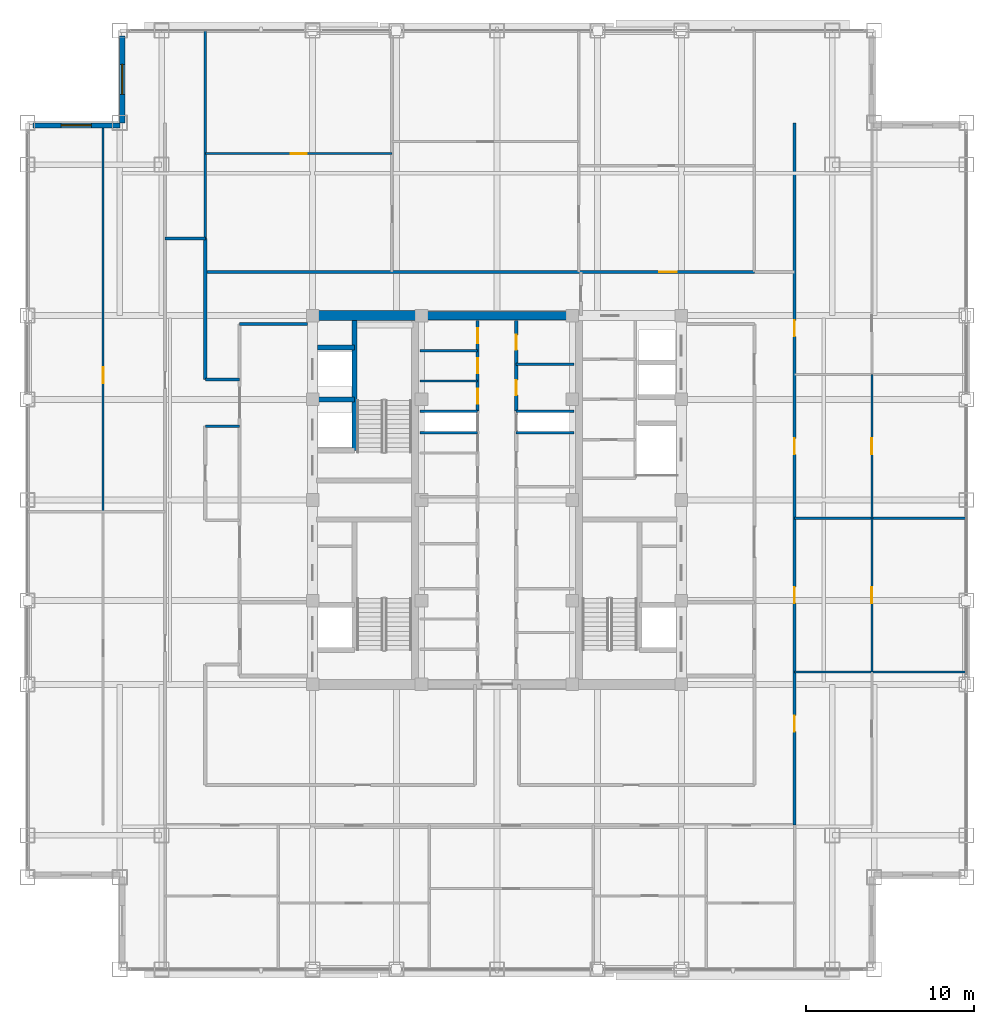
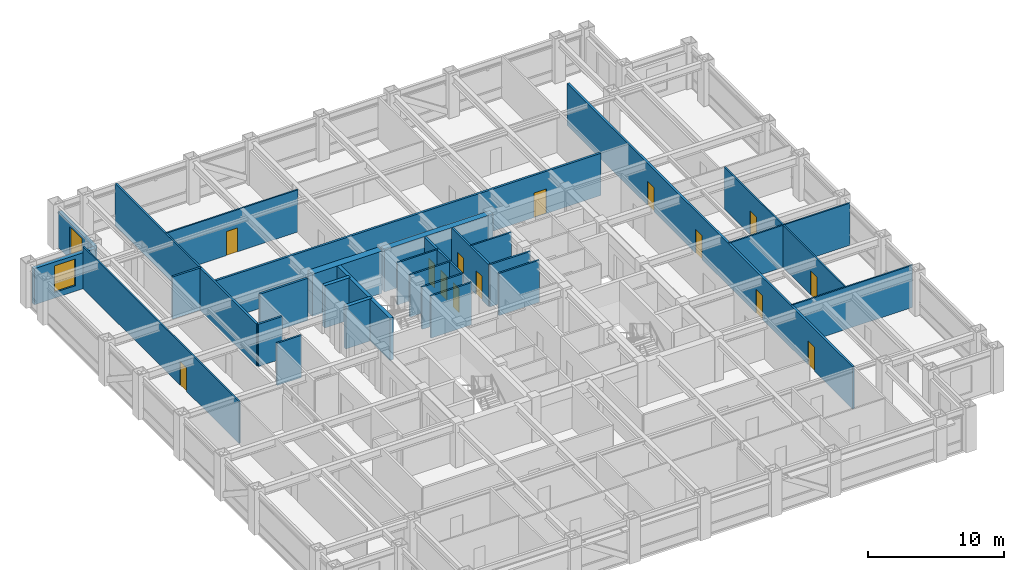
# One storey, part 21 of 27: 30 walls, 14 doors, 2 windows, 16 openings.
"""IFC4 building model written with IfcOpenShell, lengths in metres."""

from ifc_helpers import new_model, si_unit, direction, frame, frame_2d, origin, place, context, subcontext, project, spatial, rectangle, extrude, source, transform, mapped, material, layer, layer_set, type_object, element, fill, save


model = new_model("IFC4")

# Units and contexts
model_context = context("Model", 3, precision=1e-05, world=origin(), true_north=direction((0.0, 1.0)))
body_context = subcontext(model_context, "Body", "Model", "MODEL_VIEW")
ifc_project = project(units=[si_unit("LENGTHUNIT", "METRE"), si_unit("AREAUNIT", "SQUARE_METRE"), si_unit("VOLUMEUNIT", "CUBIC_METRE"), si_unit("PLANEANGLEUNIT", "RADIAN"), si_unit("MASSUNIT", "GRAM", prefix="KILO")], contexts=[model_context])

# Site, building, storey
site_placement = place(None, origin())
site = spatial("IfcSite", under=ifc_project, at=site_placement, CompositionType="ELEMENT")
building_placement = place(site_placement, origin())
building = spatial("IfcBuilding", under=site, at=building_placement, Name="Khorayat Bourse Tower", CompositionType="ELEMENT")
storey_placement = place(building_placement, frame((0.0, 0.0, 285.5)))
storey = spatial("IfcBuildingStorey", under=building, at=storey_placement, Name="L67", CompositionType="ELEMENT", Elevation=285.5)

# Walls
ifc_material_1 = material(Name="Concrete C60/75", Category="concrete")
ifc_layer_1 = layer(ifc_material_1, 0.60009765625)
ifc_layer_set_1 = layer_set([ifc_layer_1], Name="Concrete C60/75")
wall_type_1 = type_object("IfcWallType", Name="WAL-CORE-600", PredefinedType="SHEAR", material=ifc_layer_set_1)
shared_shape_1 = source(origin(), body_context, "Body", "SweptSolid", [
    extrude(rectangle(XDim=5.89990234375, YDim=0.60009765625, at=frame_2d((2.949951171875, 0.0))), origin(), (0.0, 0.0, 1.0), 3.780029296875),
])
wall_1_placement = place(storey_placement, frame((-10.75, 11.0, 0.0), z_axis=(0.0, 0.0, 1.0), x_axis=(1.0, 0.0, 0.0)))
element("IfcWall", 1, at=wall_1_placement, inside=storey, type_object=wall_type_1, Name="L67 Core Shear Wall PIER-WN", PredefinedType="SHEAR", context=body_context, shape_type="MappedRepresentation", body=[
    mapped(shared_shape_1, transform((0.0, 0.0, 0.0), scale=1.0)),
])
ifc_material_2 = material(Name="Concrete C52/65", Category="concrete")
ifc_layer_2 = layer(ifc_material_2, 0.5)
ifc_layer_set_2 = layer_set([ifc_layer_2], Name="Concrete C52/65")
wall_type_2 = type_object("IfcWallType", Name="WAL-CORE-500", PredefinedType="SHEAR", material=ifc_layer_set_2)
shared_shape_2 = source(origin(), body_context, "Body", "SweptSolid", [
    extrude(rectangle(XDim=9.2001953125, YDim=0.5, at=frame_2d((4.60009765625, 0.0))), origin(), (0.0, 0.0, 1.0), 3.780029296875),
])
wall_2_placement = place(storey_placement, frame((-4.60009765625, 11.0, 0.0), z_axis=(0.0, 0.0, 1.0), x_axis=(1.0, 0.0, 0.0)))
element("IfcWall", 2, at=wall_2_placement, inside=storey, type_object=wall_type_2, Name="L67 Core Shear Wall CORE-N", PredefinedType="SHEAR", context=body_context, shape_type="MappedRepresentation", body=[
    mapped(shared_shape_2, transform((0.0, 0.0, 0.0), scale=1.0)),
])

# Wall, opening, window
ifc_material_3 = material(Name="Precast concrete C45/55", Category="concrete")
ifc_layer_3 = layer(ifc_material_3, 0.320068359375)
ifc_layer_set_3 = layer_set([ifc_layer_3], Name="Precast concrete C45/55")
wall_type_3 = type_object("IfcWallType", Name="WAL-EXT-STONE-320", PredefinedType="STANDARD", material=ifc_layer_set_3)
shared_shape_3 = source(origin(), body_context, "Body", "SweptSolid", [
    extrude(rectangle(XDim=5.179931640625, YDim=0.320068359375, at=frame_2d((2.58984375, 0.0))), origin(), (0.0, 0.0, 1.0), 3.23095703125),
])
wall_3_placement = place(storey_placement, frame((-22.340087890625, 22.5, 0.0), z_axis=(0.0, 0.0, 1.0), x_axis=(0.0, 1.0, 0.0)))
wall_3 = element("IfcWall", 3, at=wall_3_placement, inside=storey, type_object=wall_type_3, Name="L67 Re-Entrant Notch Limestone Wall NW-V", PredefinedType="STANDARD", context=body_context, shape_type="MappedRepresentation", body=[
    mapped(shared_shape_3, transform((0.0, 0.0, 0.0), scale=1.0)),
])
shared_shape_4 = source(origin(), body_context, "Body", "SweptSolid", [
    extrude(rectangle(XDim=1.800048828125, YDim=2.39990234375, at=frame_2d((0.89990234375, 1.199951171875))), frame((0.0, 0.169921875, 0.0), z_axis=(0.0, -1.0, 0.0), x_axis=(1.0, 0.0, 0.0)), (0.0, 0.0, 1.0), 0.340087890625),
])
opening_1_placement = place(wall_3_placement, frame((1.68994140625, 0.0, 0.5)))
opening_1 = element("IfcOpeningElement", 4, at=opening_1_placement, cuts=wall_3, Name="Opening WN-04", PredefinedType="OPENING", context=body_context, shape_type="MappedRepresentation", body=[
    mapped(shared_shape_4, transform((0.0, 0.0, 0.0), scale=1.0)),
])
ifc_material_4 = material(Name="Low-E acoustic laminated double glazing", Category="glass")
window_type = type_object("IfcWindowType", Name="WIN-NOTCH-1800x2400", PartitioningType="SINGLE_PANEL", PredefinedType="WINDOW", material=ifc_material_4)
shared_shape_5 = source(origin(), body_context, "Body", "SweptSolid", [
    extrude(rectangle(XDim=1.800048828125, YDim=2.39990234375, at=frame_2d((0.89990234375, 1.199951171875))), frame((0.0, 0.030029296875, 0.0), z_axis=(0.0, -1.0, 0.0), x_axis=(1.0, 0.0, 0.0)), (0.0, 0.0, 1.0), 0.06005859375),
])
window_1_placement = place(opening_1_placement, origin())
window_1 = element("IfcWindow", 5, at=window_1_placement, inside=storey, type_object=window_type, Name="L67 Facade Window 1", OverallHeight=2.39990234375, OverallWidth=1.800048828125, PartitioningType="SINGLE_PANEL", PredefinedType="WINDOW", context=body_context, shape_type="MappedRepresentation", body=[
    mapped(shared_shape_5, transform((0.0, 0.0, 0.0), scale=1.0)),
])
fill(opening_1, window_1)

wall_4_placement = place(storey_placement, frame((-22.5, 22.340087890625, 0.0), z_axis=(0.0, 0.0, 1.0), x_axis=(-1.0, 0.0, 0.0)))
wall_4 = element("IfcWall", 6, at=wall_4_placement, inside=storey, type_object=wall_type_3, Name="L67 Re-Entrant Notch Limestone Wall NW-H", PredefinedType="STANDARD", context=body_context, shape_type="MappedRepresentation", body=[
    mapped(shared_shape_3, transform((0.0, 0.0, 0.0), scale=1.0)),
])
opening_2_placement = place(wall_4_placement, frame((1.68994140625, 0.0, 0.5)))
opening_2 = element("IfcOpeningElement", 7, at=opening_2_placement, cuts=wall_4, Name="Opening WN-04", PredefinedType="OPENING", context=body_context, shape_type="MappedRepresentation", body=[
    mapped(shared_shape_4, transform((0.0, 0.0, 0.0), scale=1.0)),
])
window_2_placement = place(opening_2_placement, origin())
window_2 = element("IfcWindow", 8, at=window_2_placement, inside=storey, type_object=window_type, Name="L67 Facade Window 1", OverallHeight=2.39990234375, OverallWidth=1.800048828125, PartitioningType="SINGLE_PANEL", PredefinedType="WINDOW", context=body_context, shape_type="MappedRepresentation", body=[
    mapped(shared_shape_5, transform((0.0, 0.0, 0.0), scale=1.0)),
])
fill(opening_2, window_2)

# Walls
ifc_material_5 = material(Name="Concrete C50/60", Category="concrete")
ifc_layer_4 = layer(ifc_material_5, 0.300048828125)
ifc_layer_set_4 = layer_set([ifc_layer_4], Name="Concrete C50/60")
wall_type_4 = type_object("IfcWallType", Name="WAL-SHAFT-300", PredefinedType="SHEAR", material=ifc_layer_set_4)
shared_shape_6 = source(origin(), body_context, "Body", "SweptSolid", [
    extrude(rectangle(XDim=2.199951171875, YDim=0.300048828125, at=frame_2d((1.10009765625, 0.0))), origin(), (0.0, 0.0, 1.0), 3.780029296875),
])
for number, where, z_axis, x_axis, name in (
    (9, (-10.699951171875, 6.0, 0.0), (0.0, 0.0, 1.0), (1.0, 0.0, 0.0), "L67 Partition WAL-L67-WPIER-H12"),
    (10, (-10.699951171875, 9.10009765625, 0.0), (0.0, 0.0, 1.0), (1.0, 0.0, 0.0), "L67 Partition WAL-L67-WPIER-H2N"),
):
    element("IfcWall", number, at=place(storey_placement, frame(where, z_axis=z_axis, x_axis=x_axis)), inside=storey, type_object=wall_type_4, Name=name, PredefinedType="SHEAR", context=body_context, shape_type="MappedRepresentation", body=[
        mapped(shared_shape_6, transform((0.0, 0.0, 0.0), scale=1.0)),
    ])
shared_shape_7 = source(origin(), body_context, "Body", "SweptSolid", [
    extrude(rectangle(XDim=7.75, YDim=0.300048828125, at=frame_2d((3.875, 0.0))), origin(), (0.0, 0.0, 1.0), 3.780029296875),
])
wall_5_placement = place(storey_placement, frame((-8.5, 2.949951171875, 0.0), z_axis=(0.0, 0.0, 1.0), x_axis=(0.0, 1.0, 0.0)))
element("IfcWall", 11, at=wall_5_placement, inside=storey, type_object=wall_type_4, Name="L67 Partition WAL-L67-WPIER-ST2S", PredefinedType="SHEAR", context=body_context, shape_type="MappedRepresentation", body=[
    mapped(shared_shape_7, transform((0.0, 0.0, 0.0), scale=1.0)),
])
ifc_material_6 = material(Name="Gypsum plasterboard acoustic stud wall")
ifc_layer_5 = layer(ifc_material_6, 0.179931640625)
ifc_layer_set_5 = layer_set([ifc_layer_5], Name="Gypsum plasterboard acoustic stud wall")
wall_type_5 = type_object("IfcWallType", Name="WAL-PART-CORR-180", PredefinedType="PARTITIONING", material=ifc_layer_set_5)
shared_shape_8 = source(origin(), body_context, "Body", "SweptSolid", [
    extrude(rectangle(XDim=4.050048828125, YDim=0.179931640625, at=frame_2d((2.02490234375, 0.0))), origin(), (0.0, 0.0, 1.0), 3.780029296875),
])
wall_6_placement = place(storey_placement, frame((-15.35009765625, 10.5, 0.0), z_axis=(0.0, 0.0, 1.0), x_axis=(1.0, 0.0, 0.0)))
element("IfcWall", 12, at=wall_6_placement, inside=storey, type_object=wall_type_5, Name="L67 Partition WAL-L67-WLOB-N", PredefinedType="PARTITIONING", context=body_context, shape_type="MappedRepresentation", body=[
    mapped(shared_shape_8, transform((0.0, 0.0, 0.0), scale=1.0)),
])
ifc_material_7 = material(Name="Gypsum plasterboard twin-frame partition")
ifc_layer_6 = layer(ifc_material_7, 0.14990234375)
ifc_layer_set_6 = layer_set([ifc_layer_6], Name="Gypsum plasterboard twin-frame partition")
wall_type_6 = type_object("IfcWallType", Name="WAL-PART-SUITE-150", PredefinedType="PARTITIONING", material=ifc_layer_set_6)
shared_shape_9 = source(origin(), body_context, "Body", "SweptSolid", [
    extrude(rectangle(XDim=3.4501953125, YDim=0.14990234375, at=frame_2d((1.72509765625, 0.0))), origin(), (0.0, 0.0, 1.0), 3.780029296875),
])
for number, where, z_axis, x_axis, name in (
    (13, (-4.60009765625, 4.0, 0.0), (0.0, 0.0, 1.0), (1.0, 0.0, 0.0), "L67 Partition WAL-L67-CRSW-S"),
    (14, (1.14990234375, 4.0, 0.0), (0.0, 0.0, 1.0), (1.0, 0.0, 0.0), "L67 Partition WAL-L67-CRSE-S"),
    (15, (-4.60009765625, 5.300048828125, 0.0), (0.0, 0.0, 1.0), (1.0, 0.0, 0.0), "L67 Partition WAL-L67-FB2-SW"),
    (16, (1.14990234375, 5.300048828125, 0.0), (0.0, 0.0, 1.0), (1.0, 0.0, 0.0), "L67 Partition WAL-L67-FB2-SE"),
):
    element("IfcWall", number, at=place(storey_placement, frame(where, z_axis=z_axis, x_axis=x_axis)), inside=storey, type_object=wall_type_6, Name=name, PredefinedType="PARTITIONING", context=body_context, shape_type="MappedRepresentation", body=[
        mapped(shared_shape_9, transform((0.0, 0.0, 0.0), scale=1.0)),
    ])

# Wall, openings, doors
shared_shape_10 = source(origin(), body_context, "Body", "SweptSolid", [
    extrude(rectangle(XDim=5.39990234375, YDim=0.179931640625, at=frame_2d((2.699951171875, 0.0))), origin(), (0.0, 0.0, 1.0), 3.780029296875),
])
wall_7_placement = place(storey_placement, frame((-1.14990234375, 5.300048828125, 0.0), z_axis=(0.0, 0.0, 1.0), x_axis=(0.0, 1.0, 0.0)))
wall_7 = element("IfcWall", 17, at=wall_7_placement, inside=storey, type_object=wall_type_5, Name="L67 Partition WAL-L67-FB2W-L", PredefinedType="PARTITIONING", context=body_context, shape_type="MappedRepresentation", body=[
    mapped(shared_shape_10, transform((0.0, 0.0, 0.0), scale=1.0)),
])
shared_shape_11 = source(origin(), body_context, "Body", "SweptSolid", [
    extrude(rectangle(XDim=0.89990234375, YDim=2.14990234375, at=frame_2d((0.449951171875, 1.074951171875))), frame((0.0, 0.099853515625, 0.0), z_axis=(0.0, -1.0, 0.0), x_axis=(1.0, 0.0, 0.0)), (0.0, 0.0, 1.0), 0.199951171875),
])
opening_3_placement = place(wall_7_placement, frame((0.449951171875, 0.0, 0.0)))
opening_3 = element("IfcOpeningElement", 18, at=opening_3_placement, cuts=wall_7, Name="Opening DI-06", PredefinedType="OPENING", context=body_context, shape_type="MappedRepresentation", body=[
    mapped(shared_shape_11, transform((0.0, 0.0, 0.0), scale=1.0)),
])
opening_4_placement = place(wall_7_placement, frame((2.25, 0.0, 0.0)))
opening_4 = element("IfcOpeningElement", 19, at=opening_4_placement, cuts=wall_7, Name="Opening DI-06", PredefinedType="OPENING", context=body_context, shape_type="MappedRepresentation", body=[
    mapped(shared_shape_11, transform((0.0, 0.0, 0.0), scale=1.0)),
])
opening_5_placement = place(wall_7_placement, frame((4.050048828125, 0.0, 0.0)))
opening_5 = element("IfcOpeningElement", 20, at=opening_5_placement, cuts=wall_7, Name="Opening DI-06", PredefinedType="OPENING", context=body_context, shape_type="MappedRepresentation", body=[
    mapped(shared_shape_11, transform((0.0, 0.0, 0.0), scale=1.0)),
])
ifc_material_8 = material(Name="Moisture-resistant laminate washroom door")
door_type_1 = type_object("IfcDoorType", Name="DR-INT-WC-900", OperationType="NOTDEFINED", PredefinedType="DOOR", material=ifc_material_8)
shared_shape_12 = source(origin(), body_context, "Body", "SweptSolid", [
    extrude(rectangle(XDim=0.89990234375, YDim=2.14990234375, at=frame_2d((0.449951171875, 1.074951171875))), frame((0.0, 0.02490234375, 0.0), z_axis=(0.0, -1.0, 0.0), x_axis=(1.0, 0.0, 0.0)), (0.0, 0.0, 1.0), 0.050048828125),
])
door_1_placement = place(opening_3_placement, origin())
door_1 = element("IfcDoor", 21, at=door_1_placement, inside=storey, type_object=door_type_1, Name="L67 Custody Vault A Door", OperationType="SINGLE_SWING_RIGHT", OverallHeight=2.14990234375, OverallWidth=0.89990234375, PredefinedType="DOOR", context=body_context, shape_type="MappedRepresentation", body=[
    mapped(shared_shape_12, transform((0.0, 0.0, 0.0), scale=1.0)),
])
fill(opening_3, door_1)
door_2_placement = place(opening_4_placement, origin())
door_2 = element("IfcDoor", 22, at=door_2_placement, inside=storey, type_object=door_type_1, Name="L67 Fiber Patch Room Door", OperationType="SINGLE_SWING_LEFT", OverallHeight=2.14990234375, OverallWidth=0.89990234375, PredefinedType="DOOR", context=body_context, shape_type="MappedRepresentation", body=[
    mapped(shared_shape_12, transform((0.0, 0.0, 0.0), scale=1.0)),
])
fill(opening_4, door_2)
door_3_placement = place(opening_5_placement, origin())
door_3 = element("IfcDoor", 23, at=door_3_placement, inside=storey, type_object=door_type_1, Name="L67 Custody Vault B Door", OperationType="SINGLE_SWING_RIGHT", OverallHeight=2.14990234375, OverallWidth=0.89990234375, PredefinedType="DOOR", context=body_context, shape_type="MappedRepresentation", body=[
    mapped(shared_shape_12, transform((0.0, 0.0, 0.0), scale=1.0)),
])
fill(opening_5, door_3)

wall_8_placement = place(storey_placement, frame((1.14990234375, 5.300048828125, 0.0), z_axis=(0.0, 0.0, 1.0), x_axis=(0.0, 1.0, 0.0)))
wall_8 = element("IfcWall", 24, at=wall_8_placement, inside=storey, type_object=wall_type_5, Name="L67 Partition WAL-L67-FB2E-L", PredefinedType="PARTITIONING", context=body_context, shape_type="MappedRepresentation", body=[
    mapped(shared_shape_10, transform((0.0, 0.0, 0.0), scale=1.0)),
])
opening_6_placement = place(wall_8_placement, frame((0.949951171875, 0.0, 0.0)))
opening_6 = element("IfcOpeningElement", 25, at=opening_6_placement, cuts=wall_8, Name="Opening DI-06", PredefinedType="OPENING", context=body_context, shape_type="MappedRepresentation", body=[
    mapped(shared_shape_11, transform((0.0, 0.0, 0.0), scale=1.0)),
])
opening_7_placement = place(wall_8_placement, frame((3.64990234375, 0.0, 0.0)))
opening_7 = element("IfcOpeningElement", 26, at=opening_7_placement, cuts=wall_8, Name="Opening DI-06", PredefinedType="OPENING", context=body_context, shape_type="MappedRepresentation", body=[
    mapped(shared_shape_11, transform((0.0, 0.0, 0.0), scale=1.0)),
])
door_4_placement = place(opening_6_placement, origin())
door_4 = element("IfcDoor", 27, at=door_4_placement, inside=storey, type_object=door_type_1, Name="L67 Core Pantry Store Door", OperationType="SINGLE_SWING_RIGHT", OverallHeight=2.14990234375, OverallWidth=0.89990234375, PredefinedType="DOOR", context=body_context, shape_type="MappedRepresentation", body=[
    mapped(shared_shape_12, transform((0.0, 0.0, 0.0), scale=1.0)),
])
fill(opening_6, door_4)
door_5_placement = place(opening_7_placement, origin())
door_5 = element("IfcDoor", 28, at=door_5_placement, inside=storey, type_object=door_type_1, Name="L67 Chilled Riser Room Door", OperationType="SINGLE_SWING_LEFT", OverallHeight=2.14990234375, OverallWidth=0.89990234375, PredefinedType="DOOR", context=body_context, shape_type="MappedRepresentation", body=[
    mapped(shared_shape_12, transform((0.0, 0.0, 0.0), scale=1.0)),
])
fill(opening_7, door_5)

# Walls
ifc_material_9 = material(Name="Moisture-resistant masonry partition", Category="masonry")
ifc_layer_7 = layer(ifc_material_9, 0.139892578125)
ifc_layer_set_7 = layer_set([ifc_layer_7], Name="Moisture-resistant masonry partition")
wall_type_7 = type_object("IfcWallType", Name="WAL-PART-WET-140", PredefinedType="PARTITIONING", material=ifc_layer_set_7)
shared_shape_13 = source(origin(), body_context, "Body", "SweptSolid", [
    extrude(rectangle(XDim=3.4501953125, YDim=0.139892578125, at=frame_2d((1.72509765625, 0.0))), origin(), (0.0, 0.0, 1.0), 3.780029296875),
])
for number, where, z_axis, x_axis, name in (
    (29, (-4.60009765625, 7.10009765625, 0.0), (0.0, 0.0, 1.0), (1.0, 0.0, 0.0), "L67 Partition WAL-L67-FB2W-D1"),
    (30, (-4.60009765625, 8.89990234375, 0.0), (0.0, 0.0, 1.0), (1.0, 0.0, 0.0), "L67 Partition WAL-L67-FB2W-D2"),
    (31, (1.14990234375, 8.10009765625, 0.0), (0.0, 0.0, 1.0), (1.0, 0.0, 0.0), "L67 Partition WAL-L67-FB2E-D1"),
):
    element("IfcWall", number, at=place(storey_placement, frame(where, z_axis=z_axis, x_axis=x_axis)), inside=storey, type_object=wall_type_7, Name=name, PredefinedType="PARTITIONING", context=body_context, shape_type="MappedRepresentation", body=[
        mapped(shared_shape_13, transform((0.0, 0.0, 0.0), scale=1.0)),
    ])
shared_shape_14 = source(origin(), body_context, "Body", "SweptSolid", [
    extrude(rectangle(XDim=2.0498046875, YDim=0.14990234375, at=frame_2d((1.02490234375, 0.0))), origin(), (0.0, 0.0, 1.0), 3.780029296875),
])
wall_9_placement = place(storey_placement, frame((-17.39990234375, 4.39990234375, 0.0), z_axis=(0.0, 0.0, 1.0), x_axis=(1.0, 0.0, 0.0)))
element("IfcWall", 32, at=wall_9_placement, inside=storey, type_object=wall_type_6, Name="L67 Partition WAL-L67-PKWM-N", PredefinedType="PARTITIONING", context=body_context, shape_type="MappedRepresentation", body=[
    mapped(shared_shape_14, transform((0.0, 0.0, 0.0), scale=1.0)),
])
shared_shape_15 = source(origin(), body_context, "Body", "SweptSolid", [
    extrude(rectangle(XDim=2.0498046875, YDim=0.179931640625, at=frame_2d((1.02490234375, 0.0))), origin(), (0.0, 0.0, 1.0), 3.780029296875),
])
wall_10_placement = place(storey_placement, frame((-17.39990234375, 7.199951171875, 0.0), z_axis=(0.0, 0.0, 1.0), x_axis=(1.0, 0.0, 0.0)))
element("IfcWall", 33, at=wall_10_placement, inside=storey, type_object=wall_type_5, Name="L67 Partition WAL-L67-THRWN-T", PredefinedType="PARTITIONING", context=body_context, shape_type="MappedRepresentation", body=[
    mapped(shared_shape_15, transform((0.0, 0.0, 0.0), scale=1.0)),
])
shared_shape_16 = source(origin(), body_context, "Body", "SweptSolid", [
    extrude(rectangle(XDim=8.400146484375, YDim=0.179931640625, at=frame_2d((4.2001953125, 0.0))), origin(), (0.0, 0.0, 1.0), 3.780029296875),
])
wall_11_placement = place(storey_placement, frame((-17.39990234375, 7.199951171875, 0.0), z_axis=(0.0, 0.0, 1.0), x_axis=(0.0, 1.0, 0.0)))
element("IfcWall", 34, at=wall_11_placement, inside=storey, type_object=wall_type_5, Name="L67 Partition WAL-L67-THRWN-N", PredefinedType="PARTITIONING", context=body_context, shape_type="MappedRepresentation", body=[
    mapped(shared_shape_16, transform((0.0, 0.0, 0.0), scale=1.0)),
])
shared_shape_17 = source(origin(), body_context, "Body", "SweptSolid", [
    extrude(rectangle(XDim=2.400146484375, YDim=0.179931640625, at=frame_2d((1.2001953125, 0.0))), origin(), (0.0, 0.0, 1.0), 3.780029296875),
])
wall_12_placement = place(storey_placement, frame((-19.800048828125, 15.60009765625, 0.0), z_axis=(0.0, 0.0, 1.0), x_axis=(1.0, 0.0, 0.0)))
element("IfcWall", 35, at=wall_12_placement, inside=storey, type_object=wall_type_5, Name="L67 Partition WAL-L67-GALW-N", PredefinedType="PARTITIONING", context=body_context, shape_type="MappedRepresentation", body=[
    mapped(shared_shape_17, transform((0.0, 0.0, 0.0), scale=1.0)),
])

# Wall, opening, door
shared_shape_18 = source(origin(), body_context, "Body", "SweptSolid", [
    extrude(rectangle(XDim=32.75, YDim=0.179931640625, at=frame_2d((16.375, 0.0))), origin(), (0.0, 0.0, 1.0), 3.780029296875),
])
wall_13_placement = place(storey_placement, frame((-17.39990234375, 13.60009765625, 0.0), z_axis=(0.0, 0.0, 1.0), x_axis=(1.0, 0.0, 0.0)))
wall_13 = element("IfcWall", 36, at=wall_13_placement, inside=storey, type_object=wall_type_5, Name="L67 Partition WAL-L67-NCORR", PredefinedType="PARTITIONING", context=body_context, shape_type="MappedRepresentation", body=[
    mapped(shared_shape_18, transform((0.0, 0.0, 0.0), scale=1.0)),
])
shared_shape_19 = source(origin(), body_context, "Body", "SweptSolid", [
    extrude(rectangle(XDim=1.050048828125, YDim=2.199951171875, at=frame_2d((0.52490234375, 1.10009765625))), frame((0.0, 0.099853515625, 0.0), z_axis=(0.0, -1.0, 0.0), x_axis=(1.0, 0.0, 0.0)), (0.0, 0.0, 1.0), 0.199951171875),
])
opening_8_placement = place(wall_13_placement, frame((27.074951171875, 0.0, 0.0)))
opening_8 = element("IfcOpeningElement", 37, at=opening_8_placement, cuts=wall_13, Name="Opening DI-04", PredefinedType="OPENING", context=body_context, shape_type="MappedRepresentation", body=[
    mapped(shared_shape_19, transform((0.0, 0.0, 0.0), scale=1.0)),
])
ifc_material_10 = material(Name="Fire-rated oak veneer suite entrance door")
door_type_2 = type_object("IfcDoorType", Name="DR-INT-SUITE-1050", OperationType="NOTDEFINED", PredefinedType="DOOR", material=ifc_material_10)
shared_shape_20 = source(origin(), body_context, "Body", "SweptSolid", [
    extrude(rectangle(XDim=1.050048828125, YDim=2.199951171875, at=frame_2d((0.52490234375, 1.10009765625))), frame((0.0, 0.02490234375, 0.0), z_axis=(0.0, -1.0, 0.0), x_axis=(1.0, 0.0, 0.0)), (0.0, 0.0, 1.0), 0.050048828125),
])
door_6_placement = place(opening_8_placement, origin())
door_6 = element("IfcDoor", 38, at=door_6_placement, inside=storey, type_object=door_type_2, Name="L67 Clearing Operations Office N3 Door", OperationType="SINGLE_SWING_RIGHT", OverallHeight=2.199951171875, OverallWidth=1.050048828125, PredefinedType="DOOR", context=body_context, shape_type="MappedRepresentation", body=[
    mapped(shared_shape_20, transform((0.0, 0.0, 0.0), scale=1.0)),
])
fill(opening_8, door_6)

# Walls
shared_shape_21 = source(origin(), body_context, "Body", "SweptSolid", [
    extrude(rectangle(XDim=12.39990234375, YDim=0.14990234375, at=frame_2d((6.199951171875, 0.0))), origin(), (0.0, 0.0, 1.0), 3.780029296875),
])
wall_14_placement = place(storey_placement, frame((-17.39990234375, 15.60009765625, 0.0), z_axis=(0.0, 0.0, 1.0), x_axis=(0.0, 1.0, 0.0)))
element("IfcWall", 39, at=wall_14_placement, inside=storey, type_object=wall_type_6, Name="L67 Partition WAL-L67-NCW-END", PredefinedType="PARTITIONING", context=body_context, shape_type="MappedRepresentation", body=[
    mapped(shared_shape_21, transform((0.0, 0.0, 0.0), scale=1.0)),
])
ifc_material_11 = material(Name="Gypsum plasterboard partition")
ifc_layer_8 = layer(ifc_material_11, 0.125)
ifc_layer_set_8 = layer_set([ifc_layer_8], Name="Gypsum plasterboard partition")
wall_type_8 = type_object("IfcWallType", Name="WAL-PART-ROOM-125", PredefinedType="PARTITIONING", material=ifc_layer_set_8)
shared_shape_22 = source(origin(), body_context, "Body", "SweptSolid", [
    extrude(rectangle(XDim=10.25, YDim=0.125, at=frame_2d((5.125, 0.0))), origin(), (0.0, 0.0, 1.0), 3.780029296875),
])
for number, where, z_axis, x_axis, name in (
    (40, (17.75, -10.26806640625, 0.0), (0.0, 0.0, 1.0), (1.0, 0.0, 0.0), "L67 Partition WAL-L67-EDV-1"),
    (41, (17.75, -1.087890625, 0.0), (0.0, 0.0, 1.0), (1.0, 0.0, 0.0), "L67 Partition WAL-L67-EDV-2"),
):
    element("IfcWall", number, at=place(storey_placement, frame(where, z_axis=z_axis, x_axis=x_axis)), inside=storey, type_object=wall_type_8, Name=name, PredefinedType="PARTITIONING", context=body_context, shape_type="MappedRepresentation", body=[
        mapped(shared_shape_22, transform((0.0, 0.0, 0.0), scale=1.0)),
    ])

# Wall, opening, door
shared_shape_23 = source(origin(), body_context, "Body", "SweptSolid", [
    extrude(rectangle(XDim=11.135009765625, YDim=0.125, at=frame_2d((5.5673828125, 0.0))), origin(), (0.0, 0.0, 1.0), 3.780029296875),
])
wall_15_placement = place(storey_placement, frame((-17.39990234375, 20.656005859375, 0.0), z_axis=(0.0, 0.0, 1.0), x_axis=(1.0, 0.0, 0.0)))
wall_15 = element("IfcWall", 42, at=wall_15_placement, inside=storey, type_object=wall_type_8, Name="L67 Partition WAL-L67-NDP-1", PredefinedType="PARTITIONING", context=body_context, shape_type="MappedRepresentation", body=[
    mapped(shared_shape_23, transform((0.0, 0.0, 0.0), scale=1.0)),
])
shared_shape_24 = source(origin(), body_context, "Body", "SweptSolid", [
    extrude(rectangle(XDim=0.949951171875, YDim=2.14990234375, at=frame_2d((0.47509765625, 1.074951171875))), frame((0.0, 0.072509765625, 0.0), z_axis=(0.0, -1.0, 0.0), x_axis=(1.0, 0.0, 0.0)), (0.0, 0.0, 1.0), 0.14501953125),
])
opening_9_placement = place(wall_15_placement, frame((5.092529296875, 0.0, 0.0)))
opening_9 = element("IfcOpeningElement", 43, at=opening_9_placement, cuts=wall_15, Name="Opening DI-05", PredefinedType="OPENING", context=body_context, shape_type="MappedRepresentation", body=[
    mapped(shared_shape_24, transform((0.0, 0.0, 0.0), scale=1.0)),
])
ifc_material_12 = material(Name="Acoustic oak veneer office door")
door_type_3 = type_object("IfcDoorType", Name="DR-INT-OFFICE-950", OperationType="NOTDEFINED", PredefinedType="DOOR", material=ifc_material_12)
shared_shape_25 = source(origin(), body_context, "Body", "SweptSolid", [
    extrude(rectangle(XDim=0.949951171875, YDim=2.14990234375, at=frame_2d((0.47509765625, 1.074951171875))), frame((0.0, 0.02490234375, 0.0), z_axis=(0.0, -1.0, 0.0), x_axis=(1.0, 0.0, 0.0)), (0.0, 0.0, 1.0), 0.050048828125),
])
door_7_placement = place(opening_9_placement, origin())
door_7 = element("IfcDoor", 44, at=door_7_placement, inside=storey, type_object=door_type_3, Name="L67 Quantitative Research Study N1B Door", OperationType="SINGLE_SWING_RIGHT", OverallHeight=2.14990234375, OverallWidth=0.949951171875, PredefinedType="DOOR", context=body_context, shape_type="MappedRepresentation", body=[
    mapped(shared_shape_25, transform((0.0, 0.0, 0.0), scale=1.0)),
])
fill(opening_9, door_7)

shared_shape_26 = source(origin(), body_context, "Body", "SweptSolid", [
    extrude(rectangle(XDim=22.89990234375, YDim=0.125, at=frame_2d((11.449951171875, 0.0))), origin(), (0.0, 0.0, 1.0), 3.780029296875),
])
wall_16_placement = place(storey_placement, frame((-23.489990234375, -0.699951171875, 0.0), z_axis=(0.0, 0.0, 1.0), x_axis=(0.0, 1.0, 0.0)))
wall_16 = element("IfcWall", 45, at=wall_16_placement, inside=storey, type_object=wall_type_8, Name="L67 Partition WAL-L67-WDP-2", PredefinedType="PARTITIONING", context=body_context, shape_type="MappedRepresentation", body=[
    mapped(shared_shape_26, transform((0.0, 0.0, 0.0), scale=1.0)),
])
opening_10_placement = place(wall_16_placement, frame((7.675048828125, 0.0, 0.0)))
opening_10 = element("IfcOpeningElement", 46, at=opening_10_placement, cuts=wall_16, Name="Opening DI-05", PredefinedType="OPENING", context=body_context, shape_type="MappedRepresentation", body=[
    mapped(shared_shape_24, transform((0.0, 0.0, 0.0), scale=1.0)),
])
door_8_placement = place(opening_10_placement, origin())
door_8 = element("IfcDoor", 47, at=door_8_placement, inside=storey, type_object=door_type_3, Name="L67 Market Reference Library W2B Door", OperationType="SINGLE_SWING_LEFT", OverallHeight=2.14990234375, OverallWidth=0.949951171875, PredefinedType="DOOR", context=body_context, shape_type="MappedRepresentation", body=[
    mapped(shared_shape_25, transform((0.0, 0.0, 0.0), scale=1.0)),
])
fill(opening_10, door_8)

shared_shape_27 = source(origin(), body_context, "Body", "SweptSolid", [
    extrude(rectangle(XDim=9.18017578125, YDim=0.125, at=frame_2d((4.590087890625, 0.0))), origin(), (0.0, 0.0, 1.0), 3.780029296875),
])
wall_17_placement = place(storey_placement, frame((22.362548828125, -10.26806640625, 0.0), z_axis=(0.0, 0.0, 1.0), x_axis=(0.0, 1.0, 0.0)))
wall_17 = element("IfcWall", 48, at=wall_17_placement, inside=storey, type_object=wall_type_8, Name="L67 Partition WAL-L67-EDP-2", PredefinedType="PARTITIONING", context=body_context, shape_type="MappedRepresentation", body=[
    mapped(shared_shape_27, transform((0.0, 0.0, 0.0), scale=1.0)),
])
opening_11_placement = place(wall_17_placement, frame((4.114990234375, 0.0, 0.0)))
opening_11 = element("IfcOpeningElement", 49, at=opening_11_placement, cuts=wall_17, Name="Opening DI-05", PredefinedType="OPENING", context=body_context, shape_type="MappedRepresentation", body=[
    mapped(shared_shape_24, transform((0.0, 0.0, 0.0), scale=1.0)),
])
door_9_placement = place(opening_11_placement, origin())
door_9 = element("IfcDoor", 50, at=door_9_placement, inside=storey, type_object=door_type_3, Name="L67 Clearing Records Archive Store E2B Door", OperationType="SINGLE_SWING_LEFT", OverallHeight=2.14990234375, OverallWidth=0.949951171875, PredefinedType="DOOR", context=body_context, shape_type="MappedRepresentation", body=[
    mapped(shared_shape_25, transform((0.0, 0.0, 0.0), scale=1.0)),
])
fill(opening_11, door_9)

shared_shape_28 = source(origin(), body_context, "Body", "SweptSolid", [
    extrude(rectangle(XDim=8.56787109375, YDim=0.125, at=frame_2d((4.283935546875, 0.0))), origin(), (0.0, 0.0, 1.0), 3.780029296875),
])
wall_18_placement = place(storey_placement, frame((22.362548828125, -1.087890625, 0.0), z_axis=(0.0, 0.0, 1.0), x_axis=(0.0, 1.0, 0.0)))
wall_18 = element("IfcWall", 51, at=wall_18_placement, inside=storey, type_object=wall_type_8, Name="L67 Partition WAL-L67-EDP-3", PredefinedType="PARTITIONING", context=body_context, shape_type="MappedRepresentation", body=[
    mapped(shared_shape_28, transform((0.0, 0.0, 0.0), scale=1.0)),
])
opening_12_placement = place(wall_18_placement, frame((3.80908203125, 0.0, 0.0)))
opening_12 = element("IfcOpeningElement", 52, at=opening_12_placement, cuts=wall_18, Name="Opening DI-05", PredefinedType="OPENING", context=body_context, shape_type="MappedRepresentation", body=[
    mapped(shared_shape_24, transform((0.0, 0.0, 0.0), scale=1.0)),
])
door_10_placement = place(opening_12_placement, origin())
door_10 = element("IfcDoor", 53, at=door_10_placement, inside=storey, type_object=door_type_3, Name="L67 Occupational First Aid Clinic E3B Door", OperationType="SINGLE_SWING_RIGHT", OverallHeight=2.14990234375, OverallWidth=0.949951171875, PredefinedType="DOOR", context=body_context, shape_type="MappedRepresentation", body=[
    mapped(shared_shape_25, transform((0.0, 0.0, 0.0), scale=1.0)),
])
fill(opening_12, door_10)

# Wall, openings, doors
shared_shape_29 = source(origin(), body_context, "Body", "SweptSolid", [
    extrude(rectangle(XDim=41.89990234375, YDim=0.179931640625, at=frame_2d((20.949951171875, 0.0))), origin(), (0.0, 0.0, 1.0), 3.780029296875),
])
wall_19_placement = place(storey_placement, frame((17.75, -19.39990234375, 0.0), z_axis=(0.0, 0.0, 1.0), x_axis=(0.0, 1.0, 0.0)))
wall_19 = element("IfcWall", 54, at=wall_19_placement, inside=storey, type_object=wall_type_5, Name="L67 Partition WAL-L67-ECORR", PredefinedType="PARTITIONING", context=body_context, shape_type="MappedRepresentation", body=[
    mapped(shared_shape_29, transform((0.0, 0.0, 0.0), scale=1.0)),
])
shared_shape_30 = source(origin(), body_context, "Body", "SweptSolid", [
    extrude(rectangle(XDim=0.949951171875, YDim=2.14990234375, at=frame_2d((0.47509765625, 1.074951171875))), frame((0.0, 0.099853515625, 0.0), z_axis=(0.0, -1.0, 0.0), x_axis=(1.0, 0.0, 0.0)), (0.0, 0.0, 1.0), 0.199951171875),
])
opening_13_placement = place(wall_19_placement, frame((5.591064453125, 0.0, 0.0)))
opening_13 = element("IfcOpeningElement", 55, at=opening_13_placement, cuts=wall_19, Name="Opening DI-05", PredefinedType="OPENING", context=body_context, shape_type="MappedRepresentation", body=[
    mapped(shared_shape_30, transform((0.0, 0.0, 0.0), scale=1.0)),
])
opening_14_placement = place(wall_19_placement, frame((13.2470703125, 0.0, 0.0)))
opening_14 = element("IfcOpeningElement", 56, at=opening_14_placement, cuts=wall_19, Name="Opening DI-05", PredefinedType="OPENING", context=body_context, shape_type="MappedRepresentation", body=[
    mapped(shared_shape_30, transform((0.0, 0.0, 0.0), scale=1.0)),
])
opening_15_placement = place(wall_19_placement, frame((22.12109375, 0.0, 0.0)))
opening_15 = element("IfcOpeningElement", 57, at=opening_15_placement, cuts=wall_19, Name="Opening DI-05", PredefinedType="OPENING", context=body_context, shape_type="MappedRepresentation", body=[
    mapped(shared_shape_30, transform((0.0, 0.0, 0.0), scale=1.0)),
])
opening_16_placement = place(wall_19_placement, frame((29.1650390625, 0.0, 0.0)))
opening_16 = element("IfcOpeningElement", 58, at=opening_16_placement, cuts=wall_19, Name="Opening DI-05", PredefinedType="OPENING", context=body_context, shape_type="MappedRepresentation", body=[
    mapped(shared_shape_30, transform((0.0, 0.0, 0.0), scale=1.0)),
])
door_11_placement = place(opening_13_placement, origin())
door_11 = element("IfcDoor", 59, at=door_11_placement, inside=storey, type_object=door_type_3, Name="L67 Staff Tea Pantry E1 Door", OperationType="SINGLE_SWING_RIGHT", OverallHeight=2.14990234375, OverallWidth=0.949951171875, PredefinedType="DOOR", context=body_context, shape_type="MappedRepresentation", body=[
    mapped(shared_shape_25, transform((0.0, 0.0, 0.0), scale=1.0)),
])
fill(opening_13, door_11)
door_12_placement = place(opening_14_placement, origin())
door_12 = element("IfcDoor", 60, at=door_12_placement, inside=storey, type_object=door_type_3, Name="L67 Executive Boardroom E2 Door", OperationType="SINGLE_SWING_LEFT", OverallHeight=2.14990234375, OverallWidth=0.949951171875, PredefinedType="DOOR", context=body_context, shape_type="MappedRepresentation", body=[
    mapped(shared_shape_25, transform((0.0, 0.0, 0.0), scale=1.0)),
])
fill(opening_14, door_12)
door_13_placement = place(opening_15_placement, origin())
door_13 = element("IfcDoor", 61, at=door_13_placement, inside=storey, type_object=door_type_3, Name="L67 Quantitative Research Study E3 Door", OperationType="SINGLE_SWING_RIGHT", OverallHeight=2.14990234375, OverallWidth=0.949951171875, PredefinedType="DOOR", context=body_context, shape_type="MappedRepresentation", body=[
    mapped(shared_shape_25, transform((0.0, 0.0, 0.0), scale=1.0)),
])
fill(opening_15, door_13)
door_14_placement = place(opening_16_placement, origin())
door_14 = element("IfcDoor", 62, at=door_14_placement, inside=storey, type_object=door_type_3, Name="L67 Equities Trading Desk E4 Door", OperationType="SINGLE_SWING_LEFT", OverallHeight=2.14990234375, OverallWidth=0.949951171875, PredefinedType="DOOR", context=body_context, shape_type="MappedRepresentation", body=[
    mapped(shared_shape_25, transform((0.0, 0.0, 0.0), scale=1.0)),
])
fill(opening_16, door_14)

save(model, "model.ifc")
